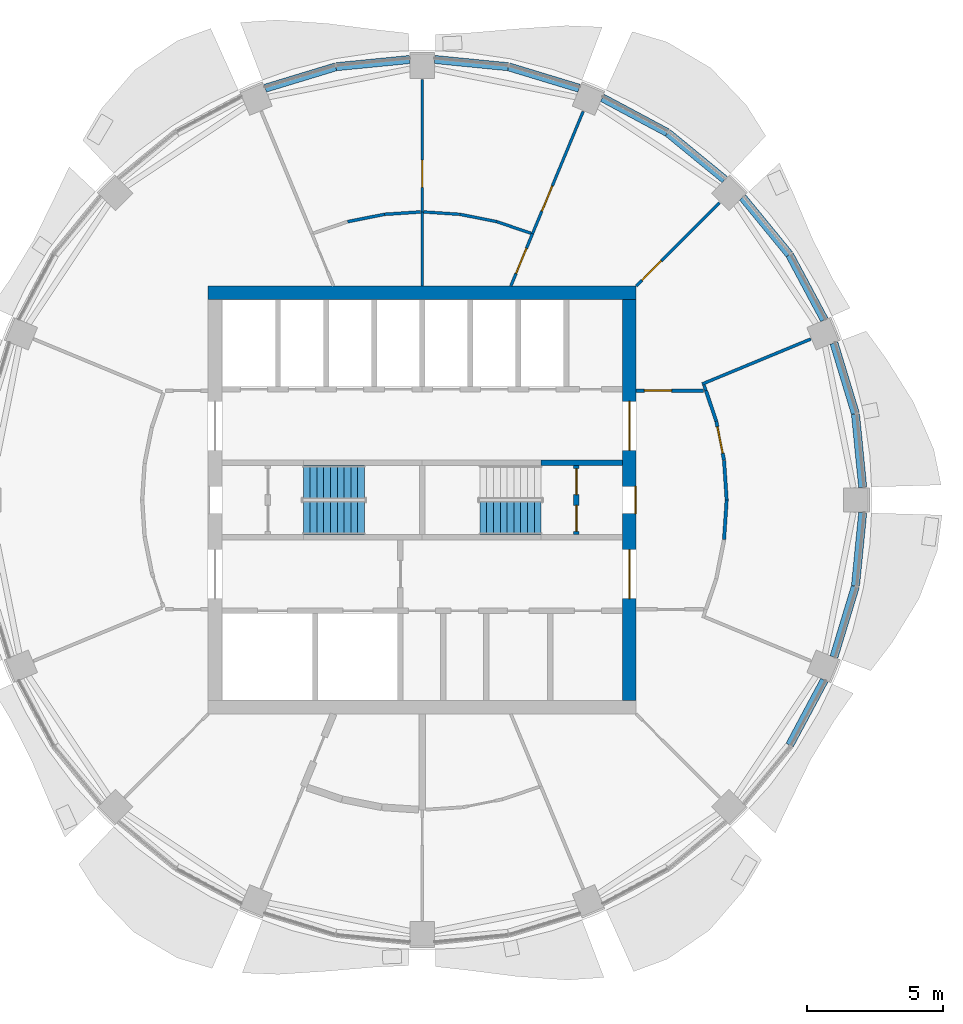
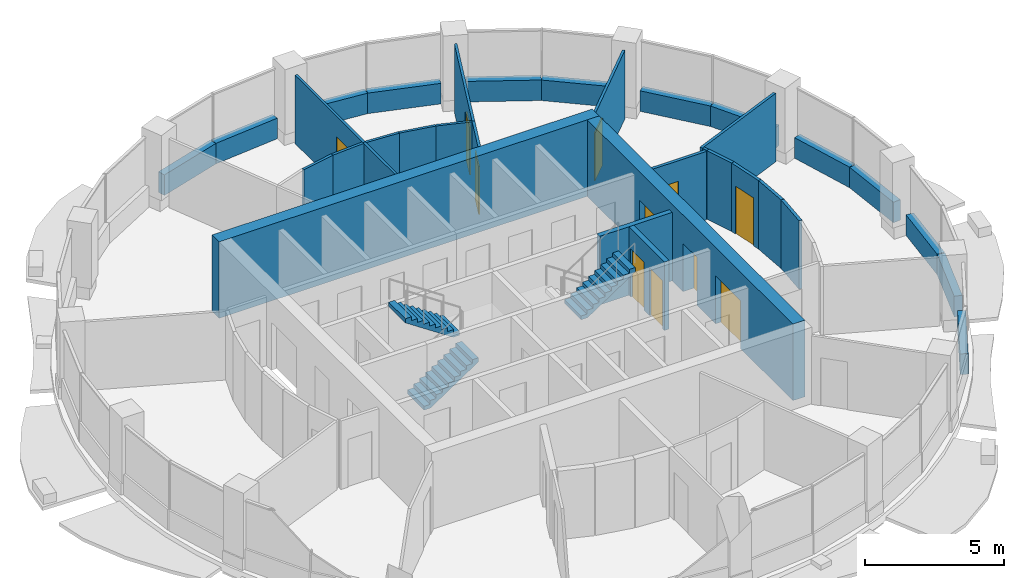
# One storey, part 10 of 15: 34 walls, 11 doors, 3 stair flights, 11 openings, 2 elements without a shape of their own.
"""IFC4 building model written with IfcOpenShell, lengths in metres."""

from ifc_helpers import new_model, si_unit, direction, frame, frame_2d, origin, place, context, subcontext, project, spatial, polyline, rectangle, outline, extrude, material, layer, layer_set, type_object, element, fill, aggregate, save


model = new_model("IFC4")

# Units and contexts
model_context = context("Model", 3, precision=1e-05, world=origin(), true_north=direction((0.0, 1.0)))
body_context = subcontext(model_context, "Body", "Model", "MODEL_VIEW")
ifc_project = project(units=[si_unit("LENGTHUNIT", "METRE"), si_unit("AREAUNIT", "SQUARE_METRE"), si_unit("VOLUMEUNIT", "CUBIC_METRE"), si_unit("PLANEANGLEUNIT", "RADIAN"), si_unit("MASSUNIT", "GRAM", prefix="KILO")], contexts=[model_context])

# Site, building, storey
site_placement = place(None, origin())
site = spatial("IfcSite", under=ifc_project, at=site_placement, CompositionType="ELEMENT")
building_placement = place(site_placement, origin())
building = spatial("IfcBuilding", under=site, at=building_placement, Name="Polderwave Tower", CompositionType="ELEMENT")
storey_placement = place(building_placement, frame((0.0, 0.0, 207.75)))
storey = spatial("IfcBuildingStorey", under=building, at=storey_placement, Name="L56", CompositionType="ELEMENT", Elevation=207.75)

# Wall
ifc_material_1 = material(Name="Concrete C60/75", Category="concrete")
ifc_layer_1 = layer(ifc_material_1, 0.5)
ifc_layer_set_1 = layer_set([ifc_layer_1], Name="CORE WALL 500 C60/75")
wall_type_1 = type_object("IfcWallType", Name="CORE WALL 500 C60/75", PredefinedType="SHEAR", material=ifc_layer_set_1)
wall_1_placement = place(storey_placement, frame((-7.8740234375, 7.6240234375, 0.0), z_axis=(0.0, 0.0, 1.0), x_axis=(1.0, 0.0, 0.0)))
element("IfcWall", 1, at=wall_1_placement, inside=storey, type_object=wall_type_1, Name="ST-CORE-L56-N", PredefinedType="SHEAR", context=body_context, shape_type="SweptSolid", body=[
    extrude(rectangle(XDim=15.748046875, YDim=0.5, at=frame_2d((7.8740234375, 0.0))), origin(), (0.0, 0.0, 1.0), 3.35009765625),
])

# Wall, openings, doors
wall_2_placement = place(storey_placement, frame((7.6240234375, -7.3740234375, 0.0), z_axis=(0.0, 0.0, 1.0), x_axis=(0.0, 1.0, 0.0)))
wall_2 = element("IfcWall", 2, at=wall_2_placement, inside=storey, type_object=wall_type_1, Name="ST-CORE-L56-E", PredefinedType="SHEAR", context=body_context, shape_type="SweptSolid", body=[
    extrude(rectangle(XDim=14.748046875, YDim=0.5, at=frame_2d((7.3740234375, 0.0))), origin(), (0.0, 0.0, 1.0), 3.35009765625),
])
opening_1_placement = place(wall_2_placement, frame((6.8740234375, 0.0, 0.0)))
opening_1 = element("IfcOpeningElement", 3, at=opening_1_placement, cuts=wall_2, Name="Opening L56-D23", PredefinedType="OPENING", context=body_context, shape_type="SweptSolid", body=[
    extrude(rectangle(XDim=1.0, YDim=2.10009765625, at=frame_2d((0.5, 1.050048828125))), frame((0.0, 0.260009765625, 0.0), z_axis=(0.0, -1.0, 0.0), x_axis=(1.0, 0.0, 0.0)), (0.0, 0.0, 1.0), 0.52001953125),
])
opening_2_placement = place(wall_2_placement, frame((3.74951171875, 0.0, 0.0)))
opening_2 = element("IfcOpeningElement", 4, at=opening_2_placement, cuts=wall_2, Name="Opening L56-D24", PredefinedType="OPENING", context=body_context, shape_type="SweptSolid", body=[
    extrude(rectangle(XDim=1.800048828125, YDim=2.10009765625, at=frame_2d((0.89990234375, 1.050048828125))), frame((0.0, 0.260009765625, 0.0), z_axis=(0.0, -1.0, 0.0), x_axis=(1.0, 0.0, 0.0)), (0.0, 0.0, 1.0), 0.52001953125),
])
opening_3_placement = place(wall_2_placement, frame((9.198486328125, 0.0, 0.0)))
opening_3 = element("IfcOpeningElement", 5, at=opening_3_placement, cuts=wall_2, Name="Opening L56-D25", PredefinedType="OPENING", context=body_context, shape_type="SweptSolid", body=[
    extrude(rectangle(XDim=1.800048828125, YDim=2.10009765625, at=frame_2d((0.89990234375, 1.050048828125))), frame((0.0, 0.260009765625, 0.0), z_axis=(0.0, -1.0, 0.0), x_axis=(1.0, 0.0, 0.0)), (0.0, 0.0, 1.0), 0.52001953125),
])
ifc_material_2 = material(Name="Steel fire door", Category="steel")
door_type_1 = type_object("IfcDoorType", Name="Lobby entry door pair 1800", OperationType="DOUBLE_DOOR_SINGLE_SWING", PredefinedType="DOOR", material=ifc_material_2)
door_1_placement = place(opening_2_placement, frame((1.800048828125, 0.0, 0.0), z_axis=(0.0, 0.0, 1.0), x_axis=(-1.0, 0.0, 0.0)))
door_1 = element("IfcDoor", 6, at=door_1_placement, inside=storey, type_object=door_type_1, Name="South lobby entry door", OperationType="DOUBLE_DOOR_SINGLE_SWING", OverallHeight=2.10009765625, OverallWidth=1.800048828125, PredefinedType="DOOR", context=body_context, shape_type="SweptSolid", body=[
    extrude(rectangle(XDim=1.800048828125, YDim=2.10009765625, at=frame_2d((0.89990234375, 1.050048828125))), frame((0.0, 0.02490234375, 0.0), z_axis=(0.0, -1.0, 0.0), x_axis=(1.0, 0.0, 0.0)), (0.0, 0.0, 1.0), 0.050048828125),
])
fill(opening_2, door_1)
door_2_placement = place(opening_3_placement, frame((1.800048828125, 0.0, 0.0), z_axis=(0.0, 0.0, 1.0), x_axis=(-1.0, 0.0, 0.0)))
door_2 = element("IfcDoor", 7, at=door_2_placement, inside=storey, type_object=door_type_1, Name="North lobby entry door", OperationType="DOUBLE_DOOR_SINGLE_SWING", OverallHeight=2.10009765625, OverallWidth=1.800048828125, PredefinedType="DOOR", context=body_context, shape_type="SweptSolid", body=[
    extrude(rectangle(XDim=1.800048828125, YDim=2.10009765625, at=frame_2d((0.89990234375, 1.050048828125))), frame((0.0, 0.02490234375, 0.0), z_axis=(0.0, -1.0, 0.0), x_axis=(1.0, 0.0, 0.0)), (0.0, 0.0, 1.0), 0.050048828125),
])
fill(opening_3, door_2)
door_type_2 = type_object("IfcDoorType", Name="Stair door 1000", OperationType="NOTDEFINED", PredefinedType="DOOR", material=ifc_material_2)
door_3_placement = place(opening_1_placement, frame((1.0, 0.0, 0.0), z_axis=(0.0, 0.0, 1.0), x_axis=(-1.0, 0.0, 0.0)))
door_3 = element("IfcDoor", 8, at=door_3_placement, inside=storey, type_object=door_type_2, Name="Stair B entry door", OperationType="SINGLE_SWING_LEFT", OverallHeight=2.10009765625, OverallWidth=1.0, PredefinedType="DOOR", context=body_context, shape_type="SweptSolid", body=[
    extrude(rectangle(XDim=1.0, YDim=2.10009765625, at=frame_2d((0.5, 1.050048828125))), frame((0.0, 0.25, 0.0), z_axis=(0.0, -1.0, 0.0), x_axis=(1.0, 0.0, 0.0)), (0.0, 0.0, 1.0), 0.050048828125),
])
fill(opening_1, door_3)

# Walls
ifc_material_3 = material(Name="Concrete C50/60 (board-marked)", Category="concrete")
ifc_layer_2 = layer(ifc_material_3, 0.300048828125)
ifc_layer_set_2 = layer_set([ifc_layer_2], Name="Concrete spandrel upstand C50/60")
wall_type_2 = type_object("IfcWallType", Name="Concrete spandrel upstand C50/60", PredefinedType="SOLIDWALL", material=ifc_layer_set_2)
wall_3_placement = place(storey_placement, frame((16.20458984375, 0.4638671875, 0.0), z_axis=(0.0, 0.0, 1.0), x_axis=(-0.098046581117, 0.995181826568, 0.0)))
element("IfcWall", 9, at=wall_3_placement, inside=storey, type_object=wall_type_2, Name="Spandrel L56 1a", PredefinedType="SOLIDWALL", context=body_context, shape_type="SweptSolid", body=[
    extrude(rectangle(XDim=2.7041015625, YDim=0.300048828125, at=frame_2d((1.35205078125, 0.0))), origin(), (0.0, 0.0, 1.0), 0.89990234375),
])
wall_4_placement = place(storey_placement, frame((15.93359375, 3.184326171875, 0.0), z_axis=(0.0, 0.0, 1.0), x_axis=(-0.290608505958, 0.956842043529, 0.0)))
element("IfcWall", 10, at=wall_4_placement, inside=storey, type_object=wall_type_2, Name="Spandrel L56 1b", PredefinedType="SOLIDWALL", context=body_context, shape_type="SweptSolid", body=[
    extrude(rectangle(XDim=2.705078125, YDim=0.300048828125, at=frame_2d((1.3525390625, 0.0))), origin(), (0.0, 0.0, 1.0), 0.89990234375),
])
for number, where, z_axis, x_axis, name in (
    (11, (14.79296875, 6.630126953125, 0.0), (0.0, 0.0, 1.0), (-0.471459599189, 0.881887660835, 0.0), "Spandrel L56 2a"),
    (12, (13.50146484375, 9.03955078125, 0.0), (0.0, 0.0, 1.0), (-0.634161642253, 0.773200498897, 0.0), "Spandrel L56 2b"),
    (13, (11.13037109375, 11.78662109375, 0.0), (0.0, 0.0, 1.0), (-0.773200498897, 0.634161642253, 0.0), "Spandrel L56 3a"),
    (14, (9.014892578125, 13.51806640625, 0.0), (0.0, 0.0, 1.0), (-0.881887660835, 0.471459599189, 0.0), "Spandrel L56 3b"),
):
    element("IfcWall", number, at=place(storey_placement, frame(where, z_axis=z_axis, x_axis=x_axis)), inside=storey, type_object=wall_type_2, Name=name, PredefinedType="SOLIDWALL", context=body_context, shape_type="SweptSolid", body=[
        extrude(rectangle(XDim=2.7041015625, YDim=0.300048828125, at=frame_2d((1.35205078125, 0.0))), origin(), (0.0, 0.0, 1.0), 0.89990234375),
    ])
wall_5_placement = place(storey_placement, frame((5.772705078125, 15.1474609375, 0.0), z_axis=(0.0, 0.0, 1.0), x_axis=(-0.956842043529, 0.290608505958, 0.0)))
element("IfcWall", 15, at=wall_5_placement, inside=storey, type_object=wall_type_2, Name="Spandrel L56 4a", PredefinedType="SOLIDWALL", context=body_context, shape_type="SweptSolid", body=[
    extrude(rectangle(XDim=2.705078125, YDim=0.300048828125, at=frame_2d((1.3525390625, 0.0))), origin(), (0.0, 0.0, 1.0), 0.89990234375),
])
for number, where, z_axis, x_axis, name in (
    (16, (3.155029296875, 15.939453125, 0.0), (0.0, 0.0, 1.0), (-0.995181826568, 0.098046581117, 0.0), "Spandrel L56 4b"),
    (17, (-0.4638671875, 16.20458984375, 0.0), (0.0, 0.0, 1.0), (-0.995181826568, -0.098046581117, 0.0), "Spandrel L56 5a"),
):
    element("IfcWall", number, at=place(storey_placement, frame(where, z_axis=z_axis, x_axis=x_axis)), inside=storey, type_object=wall_type_2, Name=name, PredefinedType="SOLIDWALL", context=body_context, shape_type="SweptSolid", body=[
        extrude(rectangle(XDim=2.7041015625, YDim=0.300048828125, at=frame_2d((1.35205078125, 0.0))), origin(), (0.0, 0.0, 1.0), 0.89990234375),
    ])
wall_6_placement = place(storey_placement, frame((-3.184326171875, 15.93359375, 0.0), z_axis=(0.0, 0.0, 1.0), x_axis=(-0.956842043529, -0.290608505958, 0.0)))
element("IfcWall", 18, at=wall_6_placement, inside=storey, type_object=wall_type_2, Name="Spandrel L56 5b", PredefinedType="SOLIDWALL", context=body_context, shape_type="SweptSolid", body=[
    extrude(rectangle(XDim=2.705078125, YDim=0.300048828125, at=frame_2d((1.3525390625, 0.0))), origin(), (0.0, 0.0, 1.0), 0.89990234375),
])
wall_7_placement = place(storey_placement, frame((13.51806640625, -9.014892578125, 0.0), z_axis=(0.0, 0.0, 1.0), x_axis=(0.471459599189, 0.881887660835, 0.0)))
element("IfcWall", 19, at=wall_7_placement, inside=storey, type_object=wall_type_2, Name="Spandrel L56 15b", PredefinedType="SOLIDWALL", context=body_context, shape_type="SweptSolid", body=[
    extrude(rectangle(XDim=2.7041015625, YDim=0.300048828125, at=frame_2d((1.35205078125, 0.0))), origin(), (0.0, 0.0, 1.0), 0.89990234375),
])
wall_8_placement = place(storey_placement, frame((15.1474609375, -5.772705078125, 0.0), z_axis=(0.0, 0.0, 1.0), x_axis=(0.290608505958, 0.956842043529, 0.0)))
element("IfcWall", 20, at=wall_8_placement, inside=storey, type_object=wall_type_2, Name="Spandrel L56 16a", PredefinedType="SOLIDWALL", context=body_context, shape_type="SweptSolid", body=[
    extrude(rectangle(XDim=2.705078125, YDim=0.300048828125, at=frame_2d((1.3525390625, 0.0))), origin(), (0.0, 0.0, 1.0), 0.89990234375),
])
wall_9_placement = place(storey_placement, frame((15.939453125, -3.155029296875, 0.0), z_axis=(0.0, 0.0, 1.0), x_axis=(0.098046581117, 0.995181826568, 0.0)))
element("IfcWall", 21, at=wall_9_placement, inside=storey, type_object=wall_type_2, Name="Spandrel L56 16b", PredefinedType="SOLIDWALL", context=body_context, shape_type="SweptSolid", body=[
    extrude(rectangle(XDim=2.7041015625, YDim=0.300048828125, at=frame_2d((1.35205078125, 0.0))), origin(), (0.0, 0.0, 1.0), 0.89990234375),
])

# Wall, openings, doors
ifc_material_4 = material(Name="Gypsum board partition")
ifc_layer_3 = layer(ifc_material_4, 0.199951171875)
ifc_layer_set_3 = layer_set([ifc_layer_3], Name="Core room partition 200")
wall_type_3 = type_object("IfcWallType", Name="Core room partition 200", PredefinedType="PARTITIONING", material=ifc_layer_set_3)
wall_10_placement = place(storey_placement, frame((5.674072265625, -1.27490234375, 0.0), z_axis=(0.0, 0.0, 1.0), x_axis=(0.0, 1.0, 0.0)))
wall_10 = element("IfcWall", 22, at=wall_10_placement, inside=storey, type_object=wall_type_3, Name="L56 smoke lobby wall B", PredefinedType="PARTITIONING", context=body_context, shape_type="SweptSolid", body=[
    extrude(rectangle(XDim=2.5498046875, YDim=0.199951171875, at=frame_2d((1.27490234375, 0.0))), origin(), (0.0, 0.0, 1.0), 3.0),
])
opening_4_placement = place(wall_10_placement, frame((0.125, 0.0, 0.0)))
opening_4 = element("IfcOpeningElement", 23, at=opening_4_placement, cuts=wall_10, Name="Opening L56-D12", PredefinedType="OPENING", context=body_context, shape_type="SweptSolid", body=[
    extrude(rectangle(XDim=0.949951171875, YDim=2.10009765625, at=frame_2d((0.47509765625, 1.050048828125))), frame((0.0, 0.10986328125, 0.0), z_axis=(0.0, -1.0, 0.0), x_axis=(1.0, 0.0, 0.0)), (0.0, 0.0, 1.0), 0.219970703125),
])
opening_5_placement = place(wall_10_placement, frame((1.47509765625, 0.0, 0.0)))
opening_5 = element("IfcOpeningElement", 24, at=opening_5_placement, cuts=wall_10, Name="Opening L56-D13", PredefinedType="OPENING", context=body_context, shape_type="SweptSolid", body=[
    extrude(rectangle(XDim=0.949951171875, YDim=2.10009765625, at=frame_2d((0.47509765625, 1.050048828125))), frame((0.0, 0.10986328125, 0.0), z_axis=(0.0, -1.0, 0.0), x_axis=(1.0, 0.0, 0.0)), (0.0, 0.0, 1.0), 0.219970703125),
])
door_type_3 = type_object("IfcDoorType", Name="Smoke lobby door 950", OperationType="NOTDEFINED", PredefinedType="DOOR", material=ifc_material_2)
door_4_placement = place(opening_4_placement, frame((0.949951171875, 0.0, 0.0), z_axis=(0.0, 0.0, 1.0), x_axis=(-1.0, 0.0, 0.0)))
door_4 = element("IfcDoor", 25, at=door_4_placement, inside=storey, type_object=door_type_3, Name="Stair B smoke lobby inner door", OperationType="SINGLE_SWING_RIGHT", OverallHeight=2.10009765625, OverallWidth=0.949951171875, PredefinedType="DOOR", context=body_context, shape_type="SweptSolid", body=[
    extrude(rectangle(XDim=0.949951171875, YDim=2.10009765625, at=frame_2d((0.47509765625, 1.050048828125))), frame((0.0, 0.02490234375, 0.0), z_axis=(0.0, -1.0, 0.0), x_axis=(1.0, 0.0, 0.0)), (0.0, 0.0, 1.0), 0.050048828125),
])
fill(opening_4, door_4)
door_5_placement = place(opening_5_placement, frame((0.949951171875, 0.0, 0.0), z_axis=(0.0, 0.0, 1.0), x_axis=(-1.0, 0.0, 0.0)))
door_5 = element("IfcDoor", 26, at=door_5_placement, inside=storey, type_object=door_type_3, Name="Stair B smoke lobby inner door", OperationType="SINGLE_SWING_LEFT", OverallHeight=2.10009765625, OverallWidth=0.949951171875, PredefinedType="DOOR", context=body_context, shape_type="SweptSolid", body=[
    extrude(rectangle(XDim=0.949951171875, YDim=2.10009765625, at=frame_2d((0.47509765625, 1.050048828125))), frame((0.0, 0.02490234375, 0.0), z_axis=(0.0, -1.0, 0.0), x_axis=(1.0, 0.0, 0.0)), (0.0, 0.0, 1.0), 0.050048828125),
])
fill(opening_5, door_5)

# Walls
ifc_material_5 = material(Name="Concrete C50/60", Category="concrete")
ifc_layer_4 = layer(ifc_material_5, 0.199951171875)
ifc_layer_set_4 = layer_set([ifc_layer_4], Name="Core web wall 200")
wall_type_4 = type_object("IfcWallType", Name="Core web wall 200", PredefinedType="SHEAR", material=ifc_layer_set_4)
wall_11_placement = place(storey_placement, frame((4.3740234375, 1.375, 0.0), z_axis=(0.0, 0.0, 1.0), x_axis=(1.0, 0.0, 0.0)))
element("IfcWall", 27, at=wall_11_placement, inside=storey, type_object=wall_type_4, Name="L56 north stair wall 4", PredefinedType="SHEAR", context=body_context, shape_type="SweptSolid", body=[
    extrude(rectangle(XDim=3.0, YDim=0.199951171875, at=frame_2d((1.5, 0.0))), origin(), (0.0, 0.0, 1.0), 3.0),
])
ifc_material_6 = material(Name="Fire-resisting board on steel studs", Category="steel")
ifc_layer_5 = layer(ifc_material_6, 0.125)
ifc_layer_set_5 = layer_set([ifc_layer_5], Name="Corridor wall 125 mm EI 60")
wall_type_5 = type_object("IfcWallType", Name="Corridor wall 125 mm EI 60", PredefinedType="PARTITIONING", material=ifc_layer_set_5)
wall_12_placement = place(storey_placement, frame((10.436279296875, 4.0244140625, 0.0), z_axis=(0.0, 0.0, 1.0), x_axis=(0.321477840896, -0.94691710187, 0.0)))
element("IfcWall", 28, at=wall_12_placement, inside=storey, type_object=wall_type_5, Name="IN-L56-W001", PredefinedType="PARTITIONING", context=body_context, shape_type="SweptSolid", body=[
    extrude(rectangle(XDim=1.184814453125, YDim=0.125, at=frame_2d((0.59228515625, 0.0))), origin(), (0.0, 0.0, 1.0), 3.0),
])

# Wall, opening, door
wall_13_placement = place(storey_placement, frame((10.819091796875, 2.894775390625, 0.0), z_axis=(0.0, 0.0, 1.0), x_axis=(0.19521377649, -0.980760715704, 0.0)))
wall_13 = element("IfcWall", 29, at=wall_13_placement, inside=storey, type_object=wall_type_5, Name="IN-L56-W003", PredefinedType="PARTITIONING", context=body_context, shape_type="SweptSolid", body=[
    extrude(rectangle(XDim=1.45703125, YDim=0.125, at=frame_2d((0.728515625, 0.0))), origin(), (0.0, 0.0, 1.0), 3.0),
])
opening_6_placement = place(wall_13_placement, frame((0.199951171875, 0.0, 0.0)))
opening_6 = element("IfcOpeningElement", 30, at=opening_6_placement, cuts=wall_13, Name="Opening L56-D50", PredefinedType="OPENING", context=body_context, shape_type="SweptSolid", body=[
    extrude(rectangle(XDim=1.0, YDim=2.10009765625, at=frame_2d((0.5, 1.050048828125))), frame((0.0, 0.072509765625, 0.0), z_axis=(0.0, -1.0, 0.0), x_axis=(1.0, 0.0, 0.0)), (0.0, 0.0, 1.0), 0.14501953125),
])
ifc_material_7 = material(Name="Timber fire door leaf", Category="wood")
door_type_4 = type_object("IfcDoorType", Name="Fire door FD30S 1000 x 2100", OperationType="NOTDEFINED", PredefinedType="DOOR", material=ifc_material_7)
door_6_placement = place(opening_6_placement, origin())
door_6 = element("IfcDoor", 31, at=door_6_placement, inside=storey, type_object=door_type_4, Name="Door L56-D50", OperationType="SINGLE_SWING_LEFT", OverallHeight=2.10009765625, OverallWidth=1.0, PredefinedType="DOOR", context=body_context, shape_type="SweptSolid", body=[
    extrude(rectangle(XDim=1.0, YDim=2.10009765625, at=frame_2d((0.5, 1.050048828125))), frame((0.0, 0.02490234375, 0.0), z_axis=(0.0, -1.0, 0.0), x_axis=(1.0, 0.0, 0.0)), (0.0, 0.0, 1.0), 0.050048828125),
])
fill(opening_6, door_6)

# Walls
for number, where, z_axis, x_axis, name in (
    (32, (11.1044921875, 1.457763671875, 0.0), (0.0, 0.0, 1.0), (0.065362114235, -0.997861610657, 0.0), "IN-L56-W005"),
    (33, (11.19970703125, -0.004150390625, 0.0), (0.0, 0.0, 1.0), (-0.065362114235, -0.997861610657, 0.0), "IN-L56-W006"),
):
    element("IfcWall", number, at=place(storey_placement, frame(where, z_axis=z_axis, x_axis=x_axis)), inside=storey, type_object=wall_type_5, Name=name, PredefinedType="PARTITIONING", context=body_context, shape_type="SweptSolid", body=[
        extrude(rectangle(XDim=1.456787109375, YDim=0.125, at=frame_2d((0.728515625, 0.0))), origin(), (0.0, 0.0, 1.0), 3.0),
    ])

# Wall, opening, door
wall_14_placement = place(storey_placement, frame((7.8740234375, 4.0244140625, 0.0), z_axis=(0.0, 0.0, 1.0), x_axis=(1.0, 0.0, 0.0)))
wall_14 = element("IfcWall", 34, at=wall_14_placement, inside=storey, type_object=wall_type_5, Name="IN-L56-W007", PredefinedType="PARTITIONING", context=body_context, shape_type="SweptSolid", body=[
    extrude(rectangle(XDim=2.47509765625, YDim=0.125, at=frame_2d((1.237548828125, 0.0))), origin(), (0.0, 0.0, 1.0), 3.0),
])
opening_7_placement = place(wall_14_placement, frame((0.300048828125, 0.0, 0.0)))
opening_7 = element("IfcOpeningElement", 35, at=opening_7_placement, cuts=wall_14, Name="Opening L56-D51", PredefinedType="OPENING", context=body_context, shape_type="SweptSolid", body=[
    extrude(rectangle(XDim=1.0, YDim=2.10009765625, at=frame_2d((0.5, 1.050048828125))), frame((0.0, 0.072509765625, 0.0), z_axis=(0.0, -1.0, 0.0), x_axis=(1.0, 0.0, 0.0)), (0.0, 0.0, 1.0), 0.14501953125),
])
door_7_placement = place(opening_7_placement, origin())
door_7 = element("IfcDoor", 36, at=door_7_placement, inside=storey, type_object=door_type_4, Name="Door L56-D51", OperationType="SINGLE_SWING_LEFT", OverallHeight=2.10009765625, OverallWidth=1.0, PredefinedType="DOOR", context=body_context, shape_type="SweptSolid", body=[
    extrude(rectangle(XDim=1.0, YDim=2.10009765625, at=frame_2d((0.5, 1.050048828125))), frame((0.0, 0.02490234375, 0.0), z_axis=(0.0, -1.0, 0.0), x_axis=(1.0, 0.0, 0.0)), (0.0, 0.0, 1.0), 0.050048828125),
])
fill(opening_7, door_7)

ifc_material_8 = material(Name="Plasterboard on steel studs", Category="steel")
ifc_layer_6 = layer(ifc_material_8, 0.10009765625)
ifc_layer_set_6 = layer_set([ifc_layer_6], Name="Partition 100 mm plasterboard on steel studs")
wall_type_6 = type_object("IfcWallType", Name="Partition 100 mm plasterboard on steel studs", PredefinedType="PARTITIONING", material=ifc_layer_set_6)
wall_15_placement = place(storey_placement, frame((7.8740234375, 7.8740234375, 0.0), z_axis=(0.0, 0.0, 1.0), x_axis=(0.707106781187, 0.707106781187, 0.0)))
wall_15 = element("IfcWall", 37, at=wall_15_placement, inside=storey, type_object=wall_type_6, Name="IN-L56-W021", PredefinedType="PARTITIONING", context=body_context, shape_type="SweptSolid", body=[
    extrude(rectangle(XDim=4.33447265625, YDim=0.10009765625, at=frame_2d((2.167236328125, 0.0))), origin(), (0.0, 0.0, 1.0), 3.0),
])
opening_8_placement = place(wall_15_placement, frame((0.300048828125, 0.0, 0.0)))
opening_8 = element("IfcOpeningElement", 38, at=opening_8_placement, cuts=wall_15, Name="Opening L56-D56", PredefinedType="OPENING", context=body_context, shape_type="SweptSolid", body=[
    extrude(rectangle(XDim=1.0, YDim=2.10009765625, at=frame_2d((0.5, 1.050048828125))), frame((0.0, 0.06005859375, 0.0), z_axis=(0.0, -1.0, 0.0), x_axis=(1.0, 0.0, 0.0)), (0.0, 0.0, 1.0), 0.1201171875),
])
ifc_material_9 = material(Name="Timber veneer door leaf", Category="wood")
door_type_5 = type_object("IfcDoorType", Name="Single door 1000 x 2100", OperationType="NOTDEFINED", PredefinedType="DOOR", material=ifc_material_9)
door_8_placement = place(opening_8_placement, origin())
door_8 = element("IfcDoor", 39, at=door_8_placement, inside=storey, type_object=door_type_5, Name="Door L56-D56", OperationType="SINGLE_SWING_LEFT", OverallHeight=2.10009765625, OverallWidth=1.0, PredefinedType="DOOR", context=body_context, shape_type="SweptSolid", body=[
    extrude(rectangle(XDim=1.0, YDim=2.10009765625, at=frame_2d((0.5, 1.050048828125))), frame((0.0, 0.02490234375, 0.0), z_axis=(0.0, -1.0, 0.0), x_axis=(1.0, 0.0, 0.0)), (0.0, 0.0, 1.0), 0.050048828125),
])
fill(opening_8, door_8)

wall_16_placement = place(storey_placement, frame((4.056396484375, 9.793212890625, 0.0), z_axis=(0.0, 0.0, 1.0), x_axis=(0.3827030411, 0.923871410064, 0.0)))
wall_16 = element("IfcWall", 40, at=wall_16_placement, inside=storey, type_object=wall_type_6, Name="IN-L56-W023", PredefinedType="PARTITIONING", context=body_context, shape_type="SweptSolid", body=[
    extrude(rectangle(XDim=4.8701171875, YDim=0.10009765625, at=frame_2d((2.43505859375, 0.0))), origin(), (0.0, 0.0, 1.0), 3.0),
])
opening_9_placement = place(wall_16_placement, frame((0.89990234375, 0.0, 0.0)))
opening_9 = element("IfcOpeningElement", 41, at=opening_9_placement, cuts=wall_16, Name="Opening L56-D58", PredefinedType="OPENING", context=body_context, shape_type="SweptSolid", body=[
    extrude(rectangle(XDim=1.0, YDim=2.10009765625, at=frame_2d((0.5, 1.050048828125))), frame((0.0, 0.06005859375, 0.0), z_axis=(0.0, -1.0, 0.0), x_axis=(1.0, 0.0, 0.0)), (0.0, 0.0, 1.0), 0.1201171875),
])
door_9_placement = place(opening_9_placement, origin())
door_9 = element("IfcDoor", 42, at=door_9_placement, inside=storey, type_object=door_type_5, Name="Door L56-D58", OperationType="SINGLE_SWING_LEFT", OverallHeight=2.10009765625, OverallWidth=1.0, PredefinedType="DOOR", context=body_context, shape_type="SweptSolid", body=[
    extrude(rectangle(XDim=1.0, YDim=2.10009765625, at=frame_2d((0.5, 1.050048828125))), frame((0.0, 0.02490234375, 0.0), z_axis=(0.0, -1.0, 0.0), x_axis=(1.0, 0.0, 0.0)), (0.0, 0.0, 1.0), 0.050048828125),
])
fill(opening_9, door_9)

wall_17_placement = place(storey_placement, frame((0.0, 10.60009765625, 0.0), z_axis=(0.0, 0.0, 1.0), x_axis=(0.0, 1.0, 0.0)))
wall_17 = element("IfcWall", 43, at=wall_17_placement, inside=storey, type_object=wall_type_6, Name="IN-L56-W028", PredefinedType="PARTITIONING", context=body_context, shape_type="SweptSolid", body=[
    extrude(rectangle(XDim=4.869873046875, YDim=0.10009765625, at=frame_2d((2.43505859375, 0.0))), origin(), (0.0, 0.0, 1.0), 3.0),
])
opening_10_placement = place(wall_17_placement, frame((0.89990234375, 0.0, 0.0)))
opening_10 = element("IfcOpeningElement", 44, at=opening_10_placement, cuts=wall_17, Name="Opening L56-D59", PredefinedType="OPENING", context=body_context, shape_type="SweptSolid", body=[
    extrude(rectangle(XDim=1.0, YDim=2.10009765625, at=frame_2d((0.5, 1.050048828125))), frame((0.0, 0.06005859375, 0.0), z_axis=(0.0, -1.0, 0.0), x_axis=(1.0, 0.0, 0.0)), (0.0, 0.0, 1.0), 0.1201171875),
])
door_10_placement = place(opening_10_placement, origin())
door_10 = element("IfcDoor", 45, at=door_10_placement, inside=storey, type_object=door_type_5, Name="Door L56-D59", OperationType="SINGLE_SWING_LEFT", OverallHeight=2.10009765625, OverallWidth=1.0, PredefinedType="DOOR", context=body_context, shape_type="SweptSolid", body=[
    extrude(rectangle(XDim=1.0, YDim=2.10009765625, at=frame_2d((0.5, 1.050048828125))), frame((0.0, 0.02490234375, 0.0), z_axis=(0.0, -1.0, 0.0), x_axis=(1.0, 0.0, 0.0)), (0.0, 0.0, 1.0), 0.050048828125),
])
fill(opening_10, door_10)

ifc_material_10 = material(Name="Moisture-resistant board on steel studs, tiled", Category="steel")
ifc_layer_7 = layer(ifc_material_10, 0.10498046875)
ifc_layer_set_7 = layer_set([ifc_layer_7], Name="Partition 105 mm wet room board and tile")
wall_type_7 = type_object("IfcWallType", Name="Partition 105 mm wet room board and tile", PredefinedType="PARTITIONING", material=ifc_layer_set_7)
wall_18_placement = place(storey_placement, frame((3.261474609375, 7.8740234375, 0.0), z_axis=(0.0, 0.0, 1.0), x_axis=(0.382670108955, 0.923885051136, 0.0)))
wall_18 = element("IfcWall", 46, at=wall_18_placement, inside=storey, type_object=wall_type_7, Name="IN-L56-W022", PredefinedType="PARTITIONING", context=body_context, shape_type="SweptSolid", body=[
    extrude(rectangle(XDim=2.077392578125, YDim=0.10498046875, at=frame_2d((1.03857421875, 0.0))), origin(), (0.0, 0.0, 1.0), 3.0),
])
opening_11_placement = place(wall_18_placement, frame((0.5, 0.0, 0.0)))
opening_11 = element("IfcOpeningElement", 47, at=opening_11_placement, cuts=wall_18, Name="Opening L56-D57", PredefinedType="OPENING", context=body_context, shape_type="SweptSolid", body=[
    extrude(rectangle(XDim=1.0, YDim=2.10009765625, at=frame_2d((0.5, 1.050048828125))), frame((0.0, 0.0625, 0.0), z_axis=(0.0, -1.0, 0.0), x_axis=(1.0, 0.0, 0.0)), (0.0, 0.0, 1.0), 0.125),
])
door_11_placement = place(opening_11_placement, origin())
door_11 = element("IfcDoor", 48, at=door_11_placement, inside=storey, type_object=door_type_5, Name="Door L56-D57", OperationType="SINGLE_SWING_LEFT", OverallHeight=2.10009765625, OverallWidth=1.0, PredefinedType="DOOR", context=body_context, shape_type="SweptSolid", body=[
    extrude(rectangle(XDim=1.0, YDim=2.10009765625, at=frame_2d((0.5, 1.050048828125))), frame((0.0, 0.02490234375, 0.0), z_axis=(0.0, -1.0, 0.0), x_axis=(1.0, 0.0, 0.0)), (0.0, 0.0, 1.0), 0.050048828125),
])
fill(opening_11, door_11)

# Walls
wall_19_placement = place(storey_placement, frame((0.055908203125, 10.59619140625, 0.0), z_axis=(0.0, 0.0, 1.0), x_axis=(0.997865015159, -0.065310118064, 0.0)))
element("IfcWall", 49, at=wall_19_placement, inside=storey, type_object=wall_type_7, Name="IN-L56-W024", PredefinedType="PARTITIONING", context=body_context, shape_type="SweptSolid", body=[
    extrude(rectangle(XDim=1.3271484375, YDim=0.10498046875, at=frame_2d((0.66357421875, 0.0))), origin(), (0.0, 0.0, 1.0), 3.0),
])
wall_20_placement = place(storey_placement, frame((1.386962890625, 10.508544921875, 0.0), z_axis=(0.0, 0.0, 1.0), x_axis=(0.980797886825, -0.195026934551, 0.0)))
element("IfcWall", 50, at=wall_20_placement, inside=storey, type_object=wall_type_7, Name="IN-L56-W025", PredefinedType="PARTITIONING", context=body_context, shape_type="SweptSolid", body=[
    extrude(rectangle(XDim=1.379638671875, YDim=0.10498046875, at=frame_2d((0.68994140625, 0.0))), origin(), (0.0, 0.0, 1.0), 3.0),
])
wall_21_placement = place(storey_placement, frame((2.746826171875, 10.23779296875, 0.0), z_axis=(0.0, 0.0, 1.0), x_axis=(0.946883702601, -0.321576202088, 0.0)))
element("IfcWall", 51, at=wall_21_placement, inside=storey, type_object=wall_type_7, Name="IN-L56-W026", PredefinedType="PARTITIONING", context=body_context, shape_type="SweptSolid", body=[
    extrude(rectangle(XDim=1.3271484375, YDim=0.10498046875, at=frame_2d((0.66357421875, 0.0))), origin(), (0.0, 0.0, 1.0), 3.0),
])
wall_22_placement = place(storey_placement, frame((0.0, 7.8740234375, 0.0), z_axis=(0.0, 0.0, 1.0), x_axis=(0.0, 1.0, 0.0)))
element("IfcWall", 52, at=wall_22_placement, inside=storey, type_object=wall_type_7, Name="IN-L56-W027", PredefinedType="PARTITIONING", context=body_context, shape_type="SweptSolid", body=[
    extrude(rectangle(XDim=2.72607421875, YDim=0.10498046875, at=frame_2d((1.363037109375, 0.0))), origin(), (0.0, 0.0, 1.0), 3.0),
])
ifc_material_11 = material(Name="Acoustic double plasterboard on steel studs", Category="steel")
ifc_layer_8 = layer(ifc_material_11, 0.110107421875)
ifc_layer_set_8 = layer_set([ifc_layer_8], Name="Partition 110 mm acoustic double board")
wall_type_8 = type_object("IfcWallType", Name="Partition 110 mm acoustic double board", PredefinedType="PARTITIONING", material=ifc_layer_set_8)
wall_23_placement = place(storey_placement, frame((10.296630859375, 4.26513671875, 0.0), z_axis=(0.0, 0.0, 1.0), x_axis=(0.923888181348, 0.382662551559, 0.0)))
element("IfcWall", 53, at=wall_23_placement, inside=storey, type_object=wall_type_8, Name="IN-L56-W017", PredefinedType="PARTITIONING", context=body_context, shape_type="SweptSolid", body=[
    extrude(rectangle(XDim=4.324951171875, YDim=0.110107421875, at=frame_2d((2.16259765625, 0.0))), origin(), (0.0, 0.0, 1.0), 3.0),
])
wall_24_placement = place(storey_placement, frame((10.436279296875, 4.0244140625, 0.0), z_axis=(0.0, 0.0, 1.0), x_axis=(-0.320936923291, 0.947100570831, 0.0)))
element("IfcWall", 54, at=wall_24_placement, inside=storey, type_object=wall_type_8, Name="IN-L56-W018", PredefinedType="PARTITIONING", context=body_context, shape_type="SweptSolid", body=[
    extrude(rectangle(XDim=0.217529296875, YDim=0.110107421875, at=frame_2d((0.10888671875, 0.0))), origin(), (0.0, 0.0, 1.0), 3.0),
])
wall_25_placement = place(storey_placement, frame((-2.739990234375, 10.239501953125, 0.0), z_axis=(0.0, 0.0, 1.0), x_axis=(0.980791153721, 0.195060792529, 0.0)))
element("IfcWall", 55, at=wall_25_placement, inside=storey, type_object=wall_type_8, Name="IN-L56-W030", PredefinedType="PARTITIONING", context=body_context, shape_type="SweptSolid", body=[
    extrude(rectangle(XDim=1.37939453125, YDim=0.110107421875, at=frame_2d((0.689697265625, 0.0))), origin(), (0.0, 0.0, 1.0), 3.0),
])
wall_26_placement = place(storey_placement, frame((-1.3798828125, 10.509521484375, 0.0), z_axis=(0.0, 0.0, 1.0), x_axis=(0.99786344486, 0.065334106036, 0.0)))
element("IfcWall", 56, at=wall_26_placement, inside=storey, type_object=wall_type_8, Name="IN-L56-W031", PredefinedType="PARTITIONING", context=body_context, shape_type="SweptSolid", body=[
    extrude(rectangle(XDim=1.32666015625, YDim=0.110107421875, at=frame_2d((0.663330078125, 0.0))), origin(), (0.0, 0.0, 1.0), 3.0),
])

# Stair, stair flights
ifc_material_12 = material(Name="Concrete C40/50", Category="concrete")
stair_type = type_object("IfcStairType", Name="Exit stair 1200 x 20 risers", PredefinedType="HALF_TURN_STAIR", material=ifc_material_12)
stair_1_placement = place(storey_placement, origin())
stair_1 = element("IfcStair", 57, at=stair_1_placement, inside=storey, type_object=stair_type, Name="L56 Exit stair A", PredefinedType="HALF_TURN_STAIR")
stair_flight_type = type_object("IfcStairFlightType", Name="Stair flight 1200", PredefinedType="STRAIGHT", material=ifc_material_12)
stair_flight_1_placement = place(storey_placement, frame((-4.3740234375, -0.675048828125, 0.0), z_axis=(0.0, 0.0, 1.0), x_axis=(1.0, 0.0, 0.0)))
stair_flight_1 = element("IfcStairFlight", 58, at=stair_flight_1_placement, type_object=stair_flight_type, Name="ST-A flight 1", NumberOfRisers=10, NumberOfTreads=9, PredefinedType="STRAIGHT", RiserHeight=0.1675, TreadLength=0.25, context=body_context, shape_type="SweptSolid", body=[
    extrude(outline(polyline([(0.0, 0.0), (0.0, 0.16748046875), (0.25, 0.16748046875), (0.25, 0.3349609375), (0.5, 0.3349609375), (0.5, 0.50244140625), (0.75, 0.50244140625), (0.75, 0.669921875), (1.0, 0.669921875), (1.0, 0.83740234375), (1.25, 0.83740234375), (1.25, 1.0048828125), (1.5, 1.0048828125), (1.5, 1.172607421875), (1.75, 1.172607421875), (1.75, 1.340087890625), (2.0, 1.340087890625), (2.0, 1.507568359375), (2.25, 1.507568359375), (2.25, 1.675048828125), (2.25, 1.3271484375), (0.269287109375, 0.0), (0.0, 0.0)])), frame((0.0, 0.60009765625, 0.0), z_axis=(0.0, -1.0, 0.0), x_axis=(1.0, 0.0, 0.0)), (0.0, 0.0, 1.0), 1.199951171875),
])
stair_flight_2_placement = place(storey_placement, frame((-2.1240234375, 0.675048828125, 1.675048828125), z_axis=(0.0, 0.0, 1.0), x_axis=(-1.0, 0.0, 0.0)))
stair_flight_2 = element("IfcStairFlight", 59, at=stair_flight_2_placement, type_object=stair_flight_type, Name="ST-A flight 2", NumberOfRisers=10, NumberOfTreads=9, PredefinedType="STRAIGHT", RiserHeight=0.1675, TreadLength=0.25, context=body_context, shape_type="SweptSolid", body=[
    extrude(outline(polyline([(0.0, 0.0), (0.0, 0.16748046875), (0.25, 0.16748046875), (0.25, 0.3349609375), (0.5, 0.3349609375), (0.5, 0.50244140625), (0.75, 0.50244140625), (0.75, 0.669921875), (1.0, 0.669921875), (1.0, 0.83740234375), (1.25, 0.83740234375), (1.25, 1.0048828125), (1.5, 1.0048828125), (1.5, 1.172607421875), (1.75, 1.172607421875), (1.75, 1.340087890625), (2.0, 1.340087890625), (2.0, 1.507568359375), (2.25, 1.507568359375), (2.25, 1.675048828125), (2.25, 1.3271484375), (0.269287109375, 0.0), (0.0, 0.0)])), frame((0.0, 0.60009765625, 0.0), z_axis=(0.0, -1.0, 0.0), x_axis=(1.0, 0.0, 0.0)), (0.0, 0.0, 1.0), 1.199951171875),
])
aggregate(stair_1, [stair_flight_1, stair_flight_2])

# Stair, stair flight
stair_2_placement = place(storey_placement, origin())
stair_2 = element("IfcStair", 60, at=stair_2_placement, inside=storey, type_object=stair_type, Name="L56 Exit stair B", PredefinedType="HALF_TURN_STAIR")
stair_flight_3_placement = place(storey_placement, frame((2.1240234375, -0.675048828125, 1.675048828125), z_axis=(0.0, 0.0, 1.0), x_axis=(1.0, 0.0, 0.0)))
stair_flight_3 = element("IfcStairFlight", 61, at=stair_flight_3_placement, type_object=stair_flight_type, Name="ST-B flight 2", NumberOfRisers=10, NumberOfTreads=9, PredefinedType="STRAIGHT", RiserHeight=0.1675, TreadLength=0.25, context=body_context, shape_type="SweptSolid", body=[
    extrude(outline(polyline([(0.0, 0.0), (0.0, 0.16748046875), (0.25, 0.16748046875), (0.25, 0.3349609375), (0.5, 0.3349609375), (0.5, 0.50244140625), (0.75, 0.50244140625), (0.75, 0.669921875), (1.0, 0.669921875), (1.0, 0.83740234375), (1.25, 0.83740234375), (1.25, 1.0048828125), (1.5, 1.0048828125), (1.5, 1.172607421875), (1.75, 1.172607421875), (1.75, 1.340087890625), (2.0, 1.340087890625), (2.0, 1.507568359375), (2.25, 1.507568359375), (2.25, 1.675048828125), (2.25, 1.3271484375), (0.269287109375, 0.0), (0.0, 0.0)])), frame((0.0, 0.60009765625, 0.0), z_axis=(0.0, -1.0, 0.0), x_axis=(1.0, 0.0, 0.0)), (0.0, 0.0, 1.0), 1.199951171875),
])
aggregate(stair_2, [stair_flight_3])

save(model, "model.ifc")
